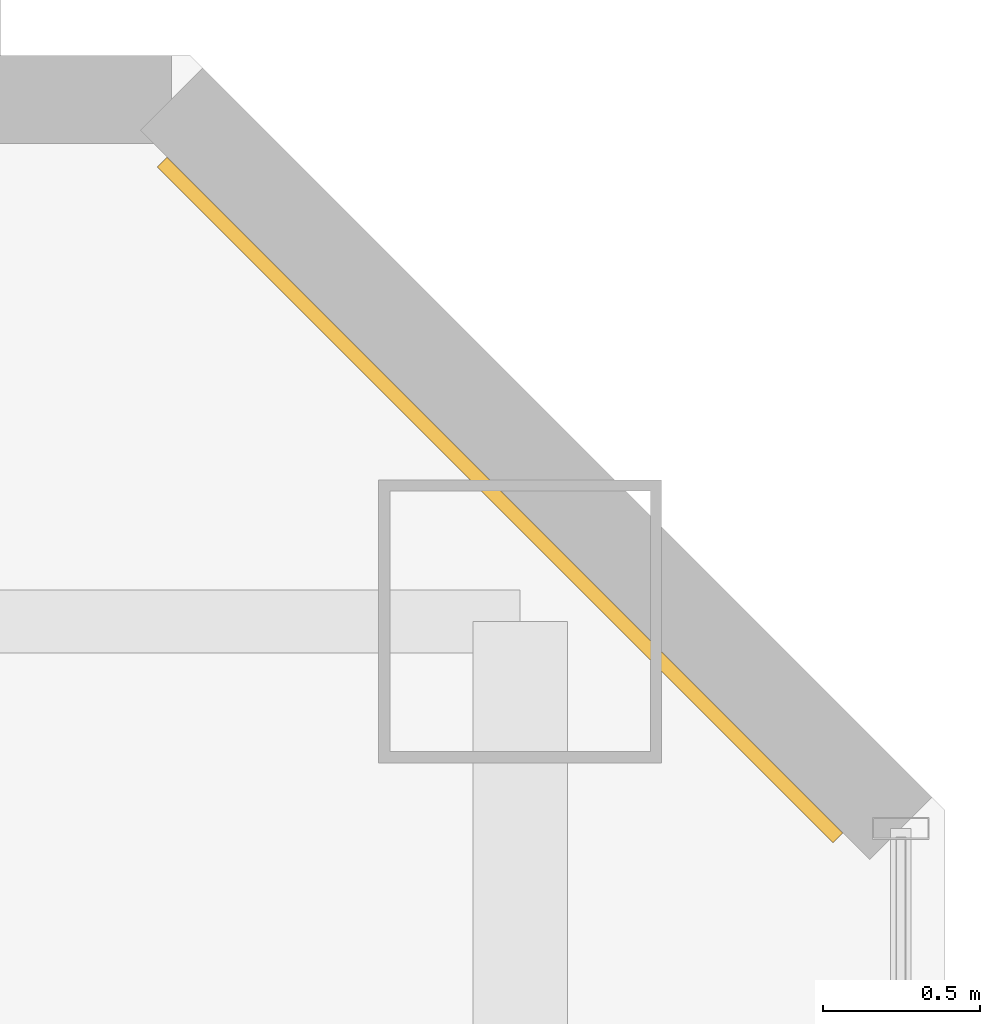
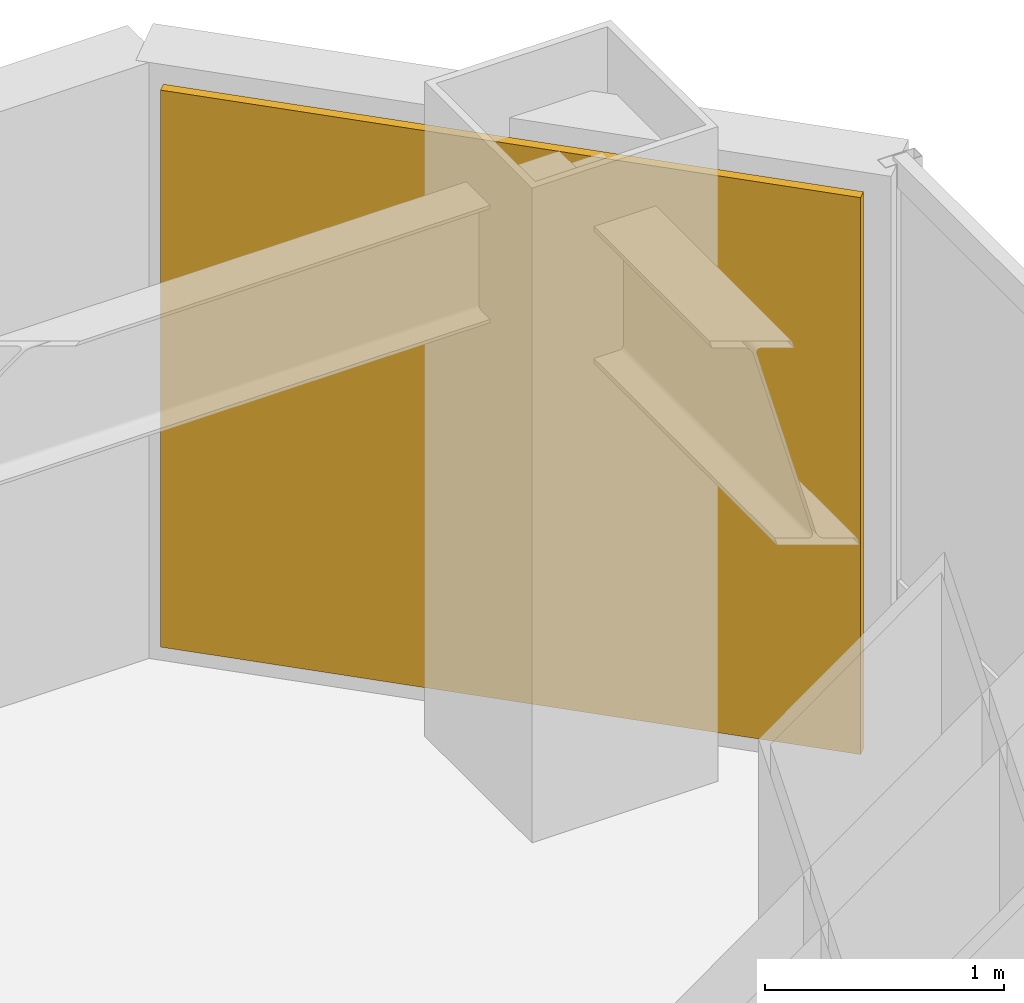
# One storey, part 36 of 36: 1 covering.
"""IFC4 building model written with IfcOpenShell, lengths in metres."""

from ifc_helpers import new_model, si_unit, direction, frame, origin, origin_2d, place, context, subcontext, project, spatial, rectangle, extrude, material, layer, layer_set, type_object, element, save


model = new_model("IFC4")

# Units and contexts
model_context = context("Model", 3, precision=1e-05, world=origin(), true_north=direction((0.0, 1.0)))
body_context = subcontext(model_context, "Body", "Model", "MODEL_VIEW")
ifc_project = project(units=[si_unit("LENGTHUNIT", "METRE"), si_unit("AREAUNIT", "SQUARE_METRE"), si_unit("VOLUMEUNIT", "CUBIC_METRE"), si_unit("PLANEANGLEUNIT", "RADIAN"), si_unit("MASSUNIT", "GRAM", prefix="KILO")], contexts=[model_context])

# Site, building, storey
site_placement = place(None, origin())
site = spatial("IfcSite", under=ifc_project, at=site_placement, CompositionType="ELEMENT")
building_placement = place(site_placement, origin())
building = spatial("IfcBuilding", under=site, at=building_placement, Name="Hatsunagi Terrace Concourse", CompositionType="ELEMENT")
storey_placement = place(building_placement, frame((0.0, 0.0, 88.0)))
storey = spatial("IfcBuildingStorey", under=building, at=storey_placement, Name="L23", CompositionType="ELEMENT", Elevation=88.0)

# Covering
ifc_material = material(Name="Unglazed Warm Terracotta Rainscreen Tile", Category="masonry")
ifc_layer = layer(ifc_material, 0.044921875)
ifc_layer_set = layer_set([ifc_layer], Name="TerracottaRainscreenCladding_45")
covering_type = type_object("IfcCoveringType", Name="TerracottaRainscreenCladding_45", PredefinedType="CLADDING", material=ifc_layer_set)
covering_placement = place(storey_placement, frame((43.5859375, 48.986083984375, 0.099853515625), z_axis=(0.0, 0.0, 1.0), x_axis=(0.707106781187, -0.707106781187, 0.0)))
element("IfcCovering", 1, at=covering_placement, inside=storey, type_object=covering_type, Name="Terracotta Rainscreen Cladding L23-12", PredefinedType="CLADDING", context=body_context, shape_type="SweptSolid", body=[
    extrude(rectangle(XDim=3.0380859375, YDim=0.044921875, at=origin_2d()), origin(), (0.0, 0.0, 1.0), 2.85009765625),
])

save(model, "model.ifc")
